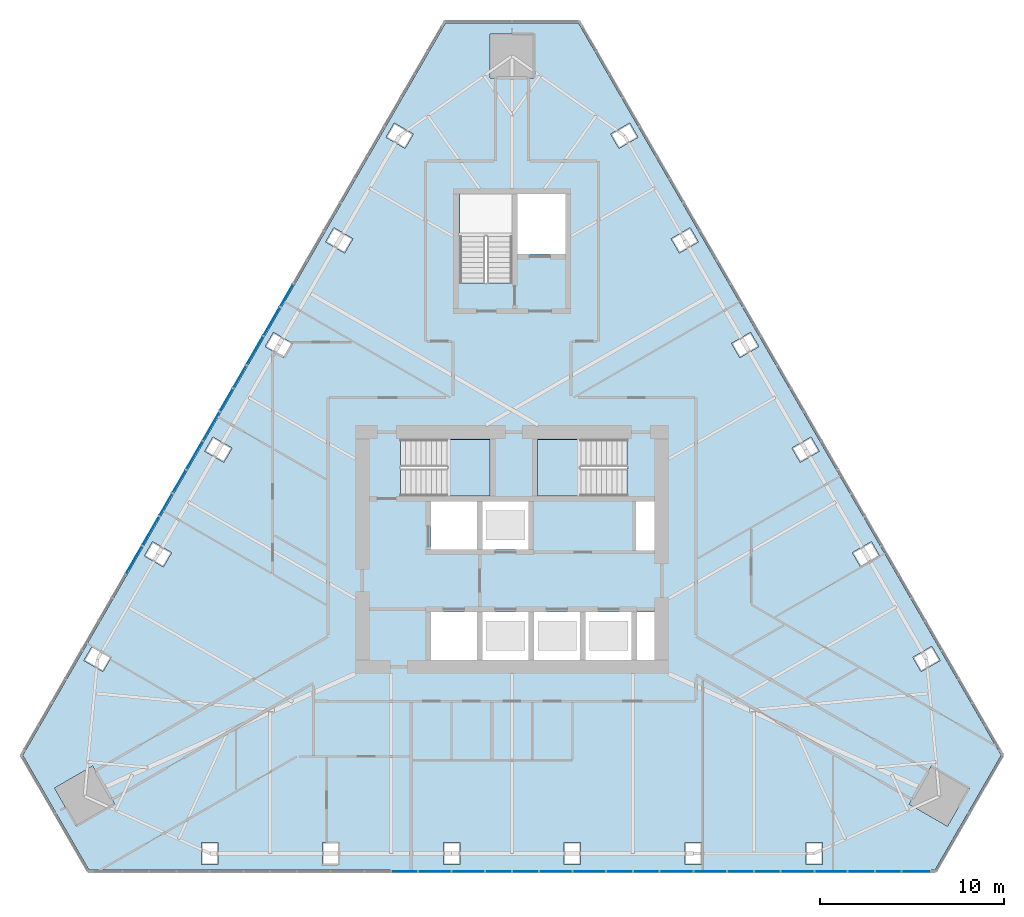
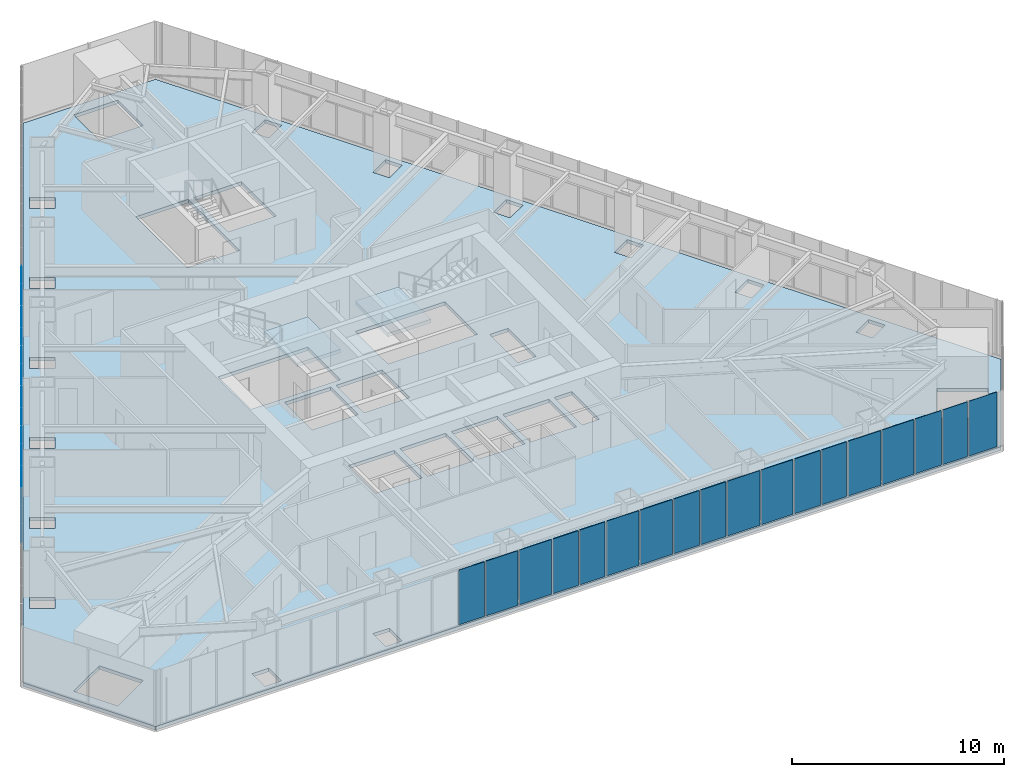
# One storey, part 12 of 21: 29 plates, 3 slabs, 4 elements without a shape of their own.
"""IFC4 building model written with IfcOpenShell, lengths in metres."""

from ifc_helpers import new_model, si_unit, direction, frame, origin, place, context, subcontext, project, spatial, polyline, outline, extrude, material, layer, layer_set, type_object, element, aggregate, save


model = new_model("IFC4")

# Units and contexts
model_context = context("Model", 3, precision=1e-05, world=origin(), true_north=direction((0.0, 1.0)))
body_context = subcontext(model_context, "Body", "Model", "MODEL_VIEW")
ifc_project = project(units=[si_unit("LENGTHUNIT", "METRE"), si_unit("AREAUNIT", "SQUARE_METRE"), si_unit("VOLUMEUNIT", "CUBIC_METRE"), si_unit("PLANEANGLEUNIT", "RADIAN"), si_unit("MASSUNIT", "GRAM", prefix="KILO")], contexts=[model_context])

# Site, building, storey
site_placement = place(None, origin())
site = spatial("IfcSite", under=ifc_project, at=site_placement, CompositionType="ELEMENT")
building_placement = place(site_placement, origin())
building = spatial("IfcBuilding", under=site, at=building_placement, Name="Firuza Gate Tower and Library", CompositionType="ELEMENT")
storey_placement = place(building_placement, frame((0.0, 0.0, 274.10009765625)))
storey = spatial("IfcBuildingStorey", under=building, at=storey_placement, Name="L65", CompositionType="ELEMENT", Elevation=274.10009765625)

# Slab
ifc_material_1 = material(Name="Concrete C40/50", Category="concrete")
ifc_layer_1 = layer(ifc_material_1, 0.199951171875)
ifc_layer_set_1 = layer_set([ifc_layer_1], Name="Composite floor slab 200 C40/50")
slab_type_1 = type_object("IfcSlabType", Name="Composite floor slab 200 C40/50", PredefinedType="FLOOR", material=ifc_layer_set_1)
slab_1_placement = place(storey_placement, frame((0.0, 0.0, -0.2001953125)))
element("IfcSlab", 1, at=slab_1_placement, inside=storey, type_object=slab_type_1, Name="Floor slab L65", PredefinedType="FLOOR", context=body_context, shape_type="SweptSolid", body=[
    extrude(outline(polyline([(48.42138671875, 63.811767578125), (52.021240234375, 57.576416015625), (97.978759765625, 57.576416015625), (101.57861328125, 63.811767578125), (78.60009765625, 103.612060546875), (71.39990234375, 103.612060546875), (48.42138671875, 63.811767578125)]), holes=[polyline([(58.13671875, 57.876220703125), (58.13671875, 59.076416015625), (59.03662109375, 59.076416015625), (59.03662109375, 57.876220703125), (58.13671875, 57.876220703125)]), polyline([(64.701904296875, 57.876220703125), (64.701904296875, 59.076416015625), (65.60205078125, 59.076416015625), (65.60205078125, 57.876220703125), (64.701904296875, 57.876220703125)]), polyline([(71.267333984375, 57.876220703125), (71.267333984375, 59.076416015625), (72.167236328125, 59.076416015625), (72.167236328125, 57.876220703125), (71.267333984375, 57.876220703125)]), polyline([(50.140869140625, 62.033203125), (52.219482421875, 63.233154296875), (53.41943359375, 61.15478515625), (51.341064453125, 59.954833984375), (50.140869140625, 62.033203125)]), polyline([(52.188720703125, 69.737060546875), (53.22802734375, 69.13720703125), (52.778076171875, 68.357666015625), (51.73876953125, 68.957763671875), (52.188720703125, 69.737060546875)]), polyline([(73.10009765625, 69.0), (70.60009765625, 69.0), (70.60009765625, 71.60009765625), (73.10009765625, 71.60009765625), (73.10009765625, 69.0)]), polyline([(75.89990234375, 69.0), (73.39990234375, 69.0), (73.39990234375, 71.60009765625), (75.89990234375, 71.60009765625), (75.89990234375, 69.0)]), polyline([(55.471435546875, 75.4228515625), (56.5107421875, 74.822998046875), (56.060791015625, 74.04345703125), (55.021484375, 74.6435546875), (55.471435546875, 75.4228515625)]), polyline([(73.10009765625, 75.0), (70.60009765625, 75.0), (70.60009765625, 77.60009765625), (73.10009765625, 77.60009765625), (73.10009765625, 75.0)]), polyline([(75.89990234375, 75.0), (73.39990234375, 75.0), (73.39990234375, 77.60009765625), (75.89990234375, 77.60009765625), (75.89990234375, 75.0)]), polyline([(68.9404296875, 77.89990234375), (68.9404296875, 80.97998046875), (73.81005859375, 80.97998046875), (73.81005859375, 77.89990234375), (68.9404296875, 77.89990234375)]), polyline([(58.754150390625, 81.108642578125), (59.79345703125, 80.5087890625), (59.34326171875, 79.729248046875), (58.30419921875, 80.329345703125), (58.754150390625, 81.108642578125)]), polyline([(62.036865234375, 86.79443359375), (63.075927734375, 86.1943359375), (62.6259765625, 85.4150390625), (61.5869140625, 86.014892578125), (62.036865234375, 86.79443359375)]), polyline([(65.319580078125, 92.480224609375), (66.358642578125, 91.880126953125), (65.90869140625, 91.100830078125), (64.869384765625, 91.70068359375), (65.319580078125, 92.480224609375)]), polyline([(72.159912109375, 89.470458984375), (72.159912109375, 94.300048828125), (75.0, 94.300048828125), (75.0, 89.470458984375), (72.159912109375, 89.470458984375)]), polyline([(68.60205078125, 98.166015625), (69.641357421875, 97.56591796875), (69.19140625, 96.786376953125), (68.152099609375, 97.386474609375), (68.60205078125, 98.166015625)]), polyline([(76.199951171875, 103.011962890625), (76.199951171875, 100.612060546875), (73.800048828125, 100.612060546875), (73.800048828125, 103.011962890625), (76.199951171875, 103.011962890625)]), polyline([(77.832763671875, 57.876220703125), (77.832763671875, 59.076416015625), (78.732666015625, 59.076416015625), (78.732666015625, 57.876220703125), (77.832763671875, 57.876220703125)]), polyline([(84.39794921875, 57.876220703125), (84.39794921875, 59.076416015625), (85.298095703125, 59.076416015625), (85.298095703125, 57.876220703125), (84.39794921875, 57.876220703125)]), polyline([(90.96337890625, 57.876220703125), (90.96337890625, 59.076416015625), (91.86328125, 59.076416015625), (91.86328125, 57.876220703125), (90.96337890625, 57.876220703125)]), polyline([(98.658935546875, 59.954833984375), (96.58056640625, 61.15478515625), (97.780517578125, 63.233154296875), (99.859130859375, 62.033203125), (98.658935546875, 59.954833984375)]), polyline([(98.26123046875, 68.957763671875), (97.221923828125, 68.357666015625), (96.77197265625, 69.13720703125), (97.811279296875, 69.737060546875), (98.26123046875, 68.957763671875)]), polyline([(78.699951171875, 69.0), (76.199951171875, 69.0), (76.199951171875, 71.60009765625), (78.699951171875, 71.60009765625), (78.699951171875, 69.0)]), polyline([(81.5, 69.0), (79.0, 69.0), (79.0, 71.60009765625), (81.5, 71.60009765625), (81.5, 69.0)]), polyline([(82.75, 69.0), (81.800048828125, 69.0), (81.800048828125, 71.60009765625), (82.75, 71.60009765625), (82.75, 69.0)]), polyline([(94.978515625, 74.6435546875), (93.939208984375, 74.04345703125), (93.4892578125, 74.822998046875), (94.528564453125, 75.4228515625), (94.978515625, 74.6435546875)]), polyline([(82.75, 74.949951171875), (81.75, 74.949951171875), (81.75, 77.60009765625), (82.75, 77.60009765625), (82.75, 74.949951171875)]), polyline([(81.259521484375, 80.97998046875), (81.259521484375, 77.89990234375), (76.389892578125, 77.89990234375), (76.389892578125, 80.97998046875), (81.259521484375, 80.97998046875)]), polyline([(91.69580078125, 80.329345703125), (90.65673828125, 79.729248046875), (90.20654296875, 80.5087890625), (91.245849609375, 81.108642578125), (91.69580078125, 80.329345703125)]), polyline([(88.4130859375, 86.014892578125), (87.3740234375, 85.4150390625), (86.924072265625, 86.1943359375), (87.963134765625, 86.79443359375), (88.4130859375, 86.014892578125)]), polyline([(85.130615234375, 91.70068359375), (84.09130859375, 91.100830078125), (83.641357421875, 91.880126953125), (84.680419921875, 92.480224609375), (85.130615234375, 91.70068359375)]), polyline([(75.300048828125, 91.050048828125), (75.300048828125, 94.300048828125), (77.89990234375, 94.300048828125), (77.89990234375, 91.050048828125), (75.300048828125, 91.050048828125)]), polyline([(80.80859375, 96.786376953125), (80.358642578125, 97.56591796875), (81.39794921875, 98.166015625), (81.847900390625, 97.386474609375), (80.80859375, 96.786376953125)])]), origin(), (0.0, 0.0, 1.0), 0.2001953125),
])

# Curtain wall, plates
ifc_material_2 = material(Name="Aluminium 6063-T6", Category="aluminium")
ifc_layer_2 = layer(ifc_material_2, 0.14990234375)
ifc_layer_set_2 = layer_set([ifc_layer_2], Name="Unitised curtain wall, residences")
curtain_wall_type = type_object("IfcCurtainWallType", Name="Unitised curtain wall, residences", PredefinedType="NOTDEFINED", material=ifc_layer_set_2)
placement_1 = place(storey_placement, origin())
curtain_wall_1 = element("IfcCurtainWall", 2, at=placement_1, inside=storey, type_object=curtain_wall_type, Name="CW3 L65 S face", PredefinedType="NOTDEFINED")
ifc_material_3 = material(Name="Fritted glass", Category="glass")
ifc_layer_3 = layer(ifc_material_3, 0.030029296875)
ifc_layer_set_3 = layer_set([ifc_layer_3], Name="Fritted glass unit, residences")
plate_type_1 = type_object("IfcPlateType", Name="Fritted glass unit, residences", PredefinedType="CURTAIN_PANEL", material=ifc_layer_set_3)
plate_1_placement = place(storey_placement, frame((69.932861328125, 57.486328125, 0.14990234375), z_axis=(0.0, -1.0, 0.0), x_axis=(1.0, 0.0, 0.0)))
plate_1 = element("IfcPlate", 3, at=plate_1_placement, type_object=plate_type_1, Name="Glass unit", PredefinedType="CURTAIN_PANEL", context=body_context, shape_type="SweptSolid", body=[
    extrude(outline(polyline([(0.0, 0.0), (1.73828125, 0.0), (1.73828125, 3.14990234375), (0.0, 3.14990234375), (0.0, 0.0)])), origin(), (0.0, 0.0, -1.0), 0.030029296875),
])
plate_2_placement = place(storey_placement, frame((71.751220703125, 57.486328125, 0.14990234375), z_axis=(0.0, -1.0, 0.0), x_axis=(1.0, 0.0, 0.0)))
plate_2 = element("IfcPlate", 4, at=plate_2_placement, type_object=plate_type_1, Name="Glass unit", PredefinedType="CURTAIN_PANEL", context=body_context, shape_type="SweptSolid", body=[
    extrude(outline(polyline([(0.0, 0.0), (1.75048828125, 0.0), (1.75048828125, 3.14990234375), (0.0, 3.14990234375), (0.0, 0.0)])), origin(), (0.0, 0.0, -1.0), 0.030029296875),
])
plate_3_placement = place(storey_placement, frame((76.498291015625, 57.486328125, 0.14990234375), z_axis=(0.0, -1.0, 0.0), x_axis=(1.0, 0.0, 0.0)))
plate_3 = element("IfcPlate", 5, at=plate_3_placement, type_object=plate_type_1, Name="Glass unit", PredefinedType="CURTAIN_PANEL", context=body_context, shape_type="SweptSolid", body=[
    extrude(outline(polyline([(0.0, 0.0), (1.75048828125, 0.0), (1.75048828125, 3.14990234375), (0.0, 3.14990234375), (0.0, 0.0)])), origin(), (0.0, 0.0, -1.0), 0.030029296875),
])
plate_4_placement = place(storey_placement, frame((78.328857421875, 57.486328125, 0.14990234375), z_axis=(0.0, -1.0, 0.0), x_axis=(1.0, 0.0, 0.0)))
plate_4 = element("IfcPlate", 6, at=plate_4_placement, type_object=plate_type_1, Name="Glass unit", PredefinedType="CURTAIN_PANEL", context=body_context, shape_type="SweptSolid", body=[
    extrude(outline(polyline([(0.0, 0.0), (1.73828125, 0.0), (1.73828125, 3.14990234375), (0.0, 3.14990234375), (0.0, 0.0)])), origin(), (0.0, 0.0, -1.0), 0.030029296875),
])
plate_5_placement = place(storey_placement, frame((83.0634765625, 57.486328125, 0.14990234375), z_axis=(0.0, -1.0, 0.0), x_axis=(1.0, 0.0, 0.0)))
plate_5 = element("IfcPlate", 7, at=plate_5_placement, type_object=plate_type_1, Name="Glass unit", PredefinedType="CURTAIN_PANEL", context=body_context, shape_type="SweptSolid", body=[
    extrude(outline(polyline([(0.0, 0.0), (1.76318359375, 0.0), (1.76318359375, 3.14990234375), (0.0, 3.14990234375), (0.0, 0.0)])), origin(), (0.0, 0.0, -1.0), 0.030029296875),
])
plate_6_placement = place(storey_placement, frame((84.906494140625, 57.486328125, 0.14990234375), z_axis=(0.0, -1.0, 0.0), x_axis=(1.0, 0.0, 0.0)))
plate_6 = element("IfcPlate", 8, at=plate_6_placement, type_object=plate_type_1, Name="Glass unit", PredefinedType="CURTAIN_PANEL", context=body_context, shape_type="SweptSolid", body=[
    extrude(outline(polyline([(0.0, 0.0), (1.72607421875, 0.0), (1.72607421875, 3.14990234375), (0.0, 3.14990234375), (0.0, 0.0)])), origin(), (0.0, 0.0, -1.0), 0.030029296875),
])
plate_7_placement = place(storey_placement, frame((89.62890625, 57.486328125, 0.14990234375), z_axis=(0.0, -1.0, 0.0), x_axis=(1.0, 0.0, 0.0)))
plate_7 = element("IfcPlate", 9, at=plate_7_placement, type_object=plate_type_1, Name="Glass unit", PredefinedType="CURTAIN_PANEL", context=body_context, shape_type="SweptSolid", body=[
    extrude(outline(polyline([(0.0, 0.0), (1.775390625, 0.0), (1.775390625, 3.14990234375), (0.0, 3.14990234375), (0.0, 0.0)])), origin(), (0.0, 0.0, -1.0), 0.030029296875),
])
plate_8_placement = place(storey_placement, frame((91.484375, 57.486328125, 0.14990234375), z_axis=(0.0, -1.0, 0.0), x_axis=(1.0, 0.0, 0.0)))
plate_8 = element("IfcPlate", 10, at=plate_8_placement, type_object=plate_type_1, Name="Glass unit", PredefinedType="CURTAIN_PANEL", context=body_context, shape_type="SweptSolid", body=[
    extrude(outline(polyline([(0.0, 0.0), (1.71337890625, 0.0), (1.71337890625, 3.14990234375), (0.0, 3.14990234375), (0.0, 0.0)])), origin(), (0.0, 0.0, -1.0), 0.030029296875),
])
plate_9_placement = place(storey_placement, frame((96.1943359375, 57.486328125, 0.14990234375), z_axis=(0.0, -1.0, 0.0), x_axis=(1.0, 0.0, 0.0)))
plate_9 = element("IfcPlate", 11, at=plate_9_placement, type_object=plate_type_1, Name="Glass unit", PredefinedType="CURTAIN_PANEL", context=body_context, shape_type="SweptSolid", body=[
    extrude(outline(polyline([(0.0, 0.0), (1.521484375, 0.0), (1.521484375, 3.14990234375), (0.0, 3.14990234375), (0.0, 0.0)])), origin(), (0.0, 0.0, -1.0), 0.030029296875),
])

curtain_wall_2 = element("IfcCurtainWall", 12, at=placement_1, inside=storey, type_object=curtain_wall_type, Name="CW3 L65 W face", PredefinedType="NOTDEFINED")
plate_10_placement = place(storey_placement, frame((62.3662109375, 88.14501953125, 0.14990234375), z_axis=(-0.866021861762, 0.500006134913, 0.0), x_axis=(-0.500006134913, -0.866021861762, 0.0)))
plate_10 = element("IfcPlate", 13, at=plate_10_placement, type_object=plate_type_1, Name="Glass unit", PredefinedType="CURTAIN_PANEL", context=body_context, shape_type="SweptSolid", body=[
    extrude(outline(polyline([(0.0, 0.0), (1.7382599218538815, 0.0), (1.7382599218538815, 3.14990234375), (0.0, 3.14990234375), (0.0, 0.0)])), origin(), (0.0, 0.0, -1.0), 0.030029296875),
])
plate_11_placement = place(storey_placement, frame((61.45703125, 86.5703125, 0.14990234375), z_axis=(-0.866011380966, 0.500024287448, 0.0), x_axis=(-0.500024287448, -0.866011380966, 0.0)))
plate_11 = element("IfcPlate", 14, at=plate_11_placement, type_object=plate_type_1, Name="Glass unit", PredefinedType="CURTAIN_PANEL", context=body_context, shape_type="SweptSolid", body=[
    extrude(outline(polyline([(0.0, 0.0), (1.7504032555949989, 0.0), (1.7504032555949989, 3.14990234375), (0.0, 3.14990234375), (0.0, 0.0)])), origin(), (0.0, 0.0, -1.0), 0.030029296875),
])
plate_12_placement = place(storey_placement, frame((59.08349609375, 82.459228515625, 0.14990234375), z_axis=(-0.866011380966, 0.500024287448, 0.0), x_axis=(-0.500024287448, -0.866011380966, 0.0)))
plate_12 = element("IfcPlate", 15, at=plate_12_placement, type_object=plate_type_1, Name="Glass unit", PredefinedType="CURTAIN_PANEL", context=body_context, shape_type="SweptSolid", body=[
    extrude(outline(polyline([(0.0, 0.0), (1.7504032555949989, 0.0), (1.7504032555949989, 3.14990234375), (0.0, 3.14990234375), (0.0, 0.0)])), origin(), (0.0, 0.0, -1.0), 0.030029296875),
])
plate_13_placement = place(storey_placement, frame((58.168212890625, 80.8740234375, 0.14990234375), z_axis=(-0.866021861762, 0.500006134913, 0.0), x_axis=(-0.500006134913, -0.866021861762, 0.0)))
plate_13 = element("IfcPlate", 16, at=plate_13_placement, type_object=plate_type_1, Name="Glass unit", PredefinedType="CURTAIN_PANEL", context=body_context, shape_type="SweptSolid", body=[
    extrude(outline(polyline([(0.0, 0.0), (1.7382599218538815, 0.0), (1.7382599218538815, 3.14990234375), (0.0, 3.14990234375), (0.0, 0.0)])), origin(), (0.0, 0.0, -1.0), 0.030029296875),
])
plate_14_placement = place(storey_placement, frame((55.801025390625, 76.773681640625, 0.14990234375), z_axis=(-0.866010328312, 0.500026110575, 0.0), x_axis=(-0.500026110575, -0.866010328312, 0.0)))
plate_14 = element("IfcPlate", 17, at=plate_14_placement, type_object=plate_type_1, Name="Glass unit", PredefinedType="CURTAIN_PANEL", context=body_context, shape_type="SweptSolid", body=[
    extrude(outline(polyline([(0.0, 0.0), (1.7630915230835504, 0.0), (1.7630915230835504, 3.14990234375), (0.0, 3.14990234375), (0.0, 0.0)])), origin(), (0.0, 0.0, -1.0), 0.030029296875),
])
plate_15_placement = place(storey_placement, frame((54.87939453125, 75.177490234375, 0.14990234375), z_axis=(-0.866058379388, 0.499942880228, 0.0), x_axis=(-0.499942880228, -0.866058379388, 0.0)))
plate_15 = element("IfcPlate", 18, at=plate_15_placement, type_object=plate_type_1, Name="Glass unit", PredefinedType="CURTAIN_PANEL", context=body_context, shape_type="SweptSolid", body=[
    extrude(outline(polyline([(0.0, 0.0), (1.725783090171679, 0.0), (1.725783090171679, 3.14990234375), (0.0, 3.14990234375), (0.0, 0.0)])), origin(), (0.0, 0.0, -1.0), 0.030029296875),
])

# Plate
ifc_material_4 = material(Name="Glazed ceramic tile")
ifc_layer_4 = layer(ifc_material_4, 0.030029296875)
ifc_layer_set_4 = layer_set([ifc_layer_4], Name="Opaque ceramic panel, residences")
plate_type_2 = type_object("IfcPlateType", Name="Opaque ceramic panel, residences", PredefinedType="CURTAIN_PANEL", material=ifc_layer_set_4)
plate_16_placement = place(storey_placement, frame((68.46240234375, 57.486328125, 0.14990234375), z_axis=(0.0, -1.0, 0.0), x_axis=(1.0, 0.0, 0.0)))
plate_16 = element("IfcPlate", 19, at=plate_16_placement, type_object=plate_type_2, Name="Opaque ceramic panel", PredefinedType="CURTAIN_PANEL", context=body_context, shape_type="SweptSolid", body=[
    extrude(outline(polyline([(0.0, 0.0), (1.390380859375, 0.0), (1.390380859375, 3.14990234375), (0.0, 3.14990234375), (0.0, 0.0)])), origin(), (0.0, 0.0, -1.0), 0.030029296875),
])

plate_17_placement = place(storey_placement, frame((73.581787109375, 57.486328125, 0.14990234375), z_axis=(0.0, -1.0, 0.0), x_axis=(1.0, 0.0, 0.0)))
plate_17 = element("IfcPlate", 20, at=plate_17_placement, type_object=plate_type_2, Name="Opaque ceramic panel", PredefinedType="CURTAIN_PANEL", context=body_context, shape_type="SweptSolid", body=[
    extrude(outline(polyline([(0.0, 0.0), (1.378173828125, 0.0), (1.378173828125, 3.14990234375), (0.0, 3.14990234375), (0.0, 0.0)])), origin(), (0.0, 0.0, -1.0), 0.030029296875),
])

plate_18_placement = place(storey_placement, frame((75.0400390625, 57.486328125, 0.14990234375), z_axis=(0.0, -1.0, 0.0), x_axis=(1.0, 0.0, 0.0)))
plate_18 = element("IfcPlate", 21, at=plate_18_placement, type_object=plate_type_2, Name="Opaque ceramic panel", PredefinedType="CURTAIN_PANEL", context=body_context, shape_type="SweptSolid", body=[
    extrude(outline(polyline([(0.0, 0.0), (1.378173828125, 0.0), (1.378173828125, 3.14990234375), (0.0, 3.14990234375), (0.0, 0.0)])), origin(), (0.0, 0.0, -1.0), 0.030029296875),
])

plate_19_placement = place(storey_placement, frame((80.147216796875, 57.486328125, 0.14990234375), z_axis=(0.0, -1.0, 0.0), x_axis=(1.0, 0.0, 0.0)))
plate_19 = element("IfcPlate", 22, at=plate_19_placement, type_object=plate_type_2, Name="Opaque ceramic panel", PredefinedType="CURTAIN_PANEL", context=body_context, shape_type="SweptSolid", body=[
    extrude(outline(polyline([(0.0, 0.0), (1.390380859375, 0.0), (1.390380859375, 3.14990234375), (0.0, 3.14990234375), (0.0, 0.0)])), origin(), (0.0, 0.0, -1.0), 0.030029296875),
])

plate_20_placement = place(storey_placement, frame((81.61767578125, 57.486328125, 0.14990234375), z_axis=(0.0, -1.0, 0.0), x_axis=(1.0, 0.0, 0.0)))
plate_20 = element("IfcPlate", 23, at=plate_20_placement, type_object=plate_type_2, Name="Opaque ceramic panel", PredefinedType="CURTAIN_PANEL", context=body_context, shape_type="SweptSolid", body=[
    extrude(outline(polyline([(0.0, 0.0), (1.365966796875, 0.0), (1.365966796875, 3.14990234375), (0.0, 3.14990234375), (0.0, 0.0)])), origin(), (0.0, 0.0, -1.0), 0.030029296875),
])

plate_21_placement = place(storey_placement, frame((86.71240234375, 57.486328125, 0.14990234375), z_axis=(0.0, -1.0, 0.0), x_axis=(1.0, 0.0, 0.0)))
plate_21 = element("IfcPlate", 24, at=plate_21_placement, type_object=plate_type_2, Name="Opaque ceramic panel", PredefinedType="CURTAIN_PANEL", context=body_context, shape_type="SweptSolid", body=[
    extrude(outline(polyline([(0.0, 0.0), (1.403076171875, 0.0), (1.403076171875, 3.14990234375), (0.0, 3.14990234375), (0.0, 0.0)])), origin(), (0.0, 0.0, -1.0), 0.030029296875),
])

plate_22_placement = place(storey_placement, frame((88.1953125, 57.486328125, 0.14990234375), z_axis=(0.0, -1.0, 0.0), x_axis=(1.0, 0.0, 0.0)))
plate_22 = element("IfcPlate", 25, at=plate_22_placement, type_object=plate_type_2, Name="Opaque ceramic panel", PredefinedType="CURTAIN_PANEL", context=body_context, shape_type="SweptSolid", body=[
    extrude(outline(polyline([(0.0, 0.0), (1.353515625, 0.0), (1.353515625, 3.14990234375), (0.0, 3.14990234375), (0.0, 0.0)])), origin(), (0.0, 0.0, -1.0), 0.030029296875),
])

plate_23_placement = place(storey_placement, frame((93.27783203125, 57.486328125, 0.14990234375), z_axis=(0.0, -1.0, 0.0), x_axis=(1.0, 0.0, 0.0)))
plate_23 = element("IfcPlate", 26, at=plate_23_placement, type_object=plate_type_2, Name="Opaque ceramic panel", PredefinedType="CURTAIN_PANEL", context=body_context, shape_type="SweptSolid", body=[
    extrude(outline(polyline([(0.0, 0.0), (1.415283203125, 0.0), (1.415283203125, 3.14990234375), (0.0, 3.14990234375), (0.0, 0.0)])), origin(), (0.0, 0.0, -1.0), 0.030029296875),
])

plate_24_placement = place(storey_placement, frame((94.773193359375, 57.486328125, 0.14990234375), z_axis=(0.0, -1.0, 0.0), x_axis=(1.0, 0.0, 0.0)))
plate_24 = element("IfcPlate", 27, at=plate_24_placement, type_object=plate_type_2, Name="Opaque ceramic panel", PredefinedType="CURTAIN_PANEL", context=body_context, shape_type="SweptSolid", body=[
    extrude(outline(polyline([(0.0, 0.0), (1.341064453125, 0.0), (1.341064453125, 3.14990234375), (0.0, 3.14990234375), (0.0, 0.0)])), origin(), (0.0, 0.0, -1.0), 0.030029296875),
])

aggregate(curtain_wall_1, [plate_16, plate_1, plate_2, plate_17, plate_18, plate_3, plate_4, plate_19, plate_20, plate_5, plate_6, plate_21, plate_22, plate_7, plate_8, plate_23, plate_24, plate_9])

plate_25_placement = place(storey_placement, frame((63.1015625, 89.418701171875, 0.14990234375), z_axis=(-0.866030639775, 0.499990930889, 0.0), x_axis=(-0.499990930889, -0.866030639775, 0.0)))
plate_25 = element("IfcPlate", 28, at=plate_25_placement, type_object=plate_type_2, Name="Opaque ceramic panel", PredefinedType="CURTAIN_PANEL", context=body_context, shape_type="SweptSolid", body=[
    extrude(outline(polyline([(0.0, 0.0), (1.3906502239211345, 0.0), (1.3906502239211345, 3.149902343750001), (0.0, 3.149902343750001), (0.0, 0.0)])), origin(), (0.0, 0.0, -1.0), 0.030029296875),
])

plate_26_placement = place(storey_placement, frame((60.541748046875, 84.985107421875, 0.14990234375), z_axis=(-0.866076445392, 0.49991158292, 0.0), x_axis=(-0.49991158292, -0.866076445392, 0.0)))
plate_26 = element("IfcPlate", 29, at=plate_26_placement, type_object=plate_type_2, Name="Opaque ceramic panel", PredefinedType="CURTAIN_PANEL", context=body_context, shape_type="SweptSolid", body=[
    extrude(outline(polyline([(0.0, 0.0), (1.3781733956348967, 0.0), (1.3781733956348967, 3.14990234375), (0.0, 3.14990234375), (0.0, 0.0)])), origin(), (0.0, 0.0, -1.0), 0.030029296875),
])

plate_27_placement = place(storey_placement, frame((59.812744140625, 83.72216796875, 0.14990234375), z_axis=(-0.865999743714, 0.500044441912, 0.0), x_axis=(-0.500044441912, -0.865999743714, 0.0)))
plate_27 = element("IfcPlate", 30, at=plate_27_placement, type_object=plate_type_2, Name="Opaque ceramic panel", PredefinedType="CURTAIN_PANEL", context=body_context, shape_type="SweptSolid", body=[
    extrude(outline(polyline([(0.0, 0.0), (1.3782954605800524, 0.0), (1.3782954605800524, 3.14990234375), (0.0, 3.14990234375), (0.0, 0.0)])), origin(), (0.0, 0.0, -1.0), 0.030029296875),
])

plate_28_placement = place(storey_placement, frame((57.25927734375, 79.29931640625, 0.14990234375), z_axis=(-0.866030639775, 0.499990930889, 0.0), x_axis=(-0.499990930889, -0.866030639775, 0.0)))
plate_28 = element("IfcPlate", 31, at=plate_28_placement, type_object=plate_type_2, Name="Opaque ceramic panel", PredefinedType="CURTAIN_PANEL", context=body_context, shape_type="SweptSolid", body=[
    extrude(outline(polyline([(0.0, 0.0), (1.3906502239211345, 0.0), (1.3906502239211345, 3.149902343750001), (0.0, 3.149902343750001), (0.0, 0.0)])), origin(), (0.0, 0.0, -1.0), 0.030029296875),
])

plate_29_placement = place(storey_placement, frame((56.52392578125, 78.025634765625, 0.14990234375), z_axis=(-0.866045686382, 0.499964867866, 0.0), x_axis=(-0.499964867866, -0.866045686382, 0.0)))
plate_29 = element("IfcPlate", 32, at=plate_29_placement, type_object=plate_type_2, Name="Opaque ceramic panel", PredefinedType="CURTAIN_PANEL", context=body_context, shape_type="SweptSolid", body=[
    extrude(outline(polyline([(0.0, 0.0), (1.3658186244967807, 0.0), (1.3658186244967807, 3.14990234375), (0.0, 3.14990234375), (0.0, 0.0)])), origin(), (0.0, 0.0, -1.0), 0.030029296875),
])

aggregate(curtain_wall_2, [plate_25, plate_10, plate_11, plate_26, plate_27, plate_12, plate_13, plate_28, plate_29, plate_14, plate_15])

# Stair, slab
ifc_material_5 = material(Name="Concrete C35/45", Category="concrete")
stair_type = type_object("IfcStairType", Name="Exit stair ST8", PredefinedType="HALF_TURN_STAIR", material=ifc_material_5)
stair_1 = element("IfcStair", 33, at=placement_1, inside=storey, type_object=stair_type, Name="L65 Stair ST1", PredefinedType="HALF_TURN_STAIR")
ifc_material_6 = material(Name="Concrete C35/45", Category="concrete")
ifc_layer_5 = layer(ifc_material_6, 0.199951171875)
ifc_layer_set_5 = layer_set([ifc_layer_5], Name="Stair landing 200")
slab_type_2 = type_object("IfcSlabType", Name="Stair landing 200", PredefinedType="LANDING", material=ifc_layer_set_5)
placement_2 = place(storey_placement, frame((0.0, 0.0, 1.5498046875)))
slab_2 = element("IfcSlab", 34, at=placement_2, type_object=slab_type_2, Name="ST1 landing 1", PredefinedType="LANDING", context=body_context, shape_type="SweptSolid", body=[
    extrude(outline(polyline([(71.4599609375, 77.89990234375), (73.81005859375, 77.89990234375), (73.81005859375, 80.97998046875), (71.4599609375, 80.97998046875), (71.4599609375, 77.89990234375)])), origin(), (0.0, 0.0, 1.0), 0.2001953125),
])
aggregate(stair_1, [slab_2])

stair_2 = element("IfcStair", 35, at=placement_1, inside=storey, type_object=stair_type, Name="L65 Stair ST2", PredefinedType="HALF_TURN_STAIR")
slab_3 = element("IfcSlab", 36, at=placement_2, type_object=slab_type_2, Name="ST2 landing 1", PredefinedType="LANDING", context=body_context, shape_type="SweptSolid", body=[
    extrude(outline(polyline([(78.739990234375, 80.97998046875), (76.389892578125, 80.97998046875), (76.389892578125, 77.89990234375), (78.739990234375, 77.89990234375), (78.739990234375, 80.97998046875)])), origin(), (0.0, 0.0, 1.0), 0.2001953125),
])
aggregate(stair_2, [slab_3])

save(model, "model.ifc")
